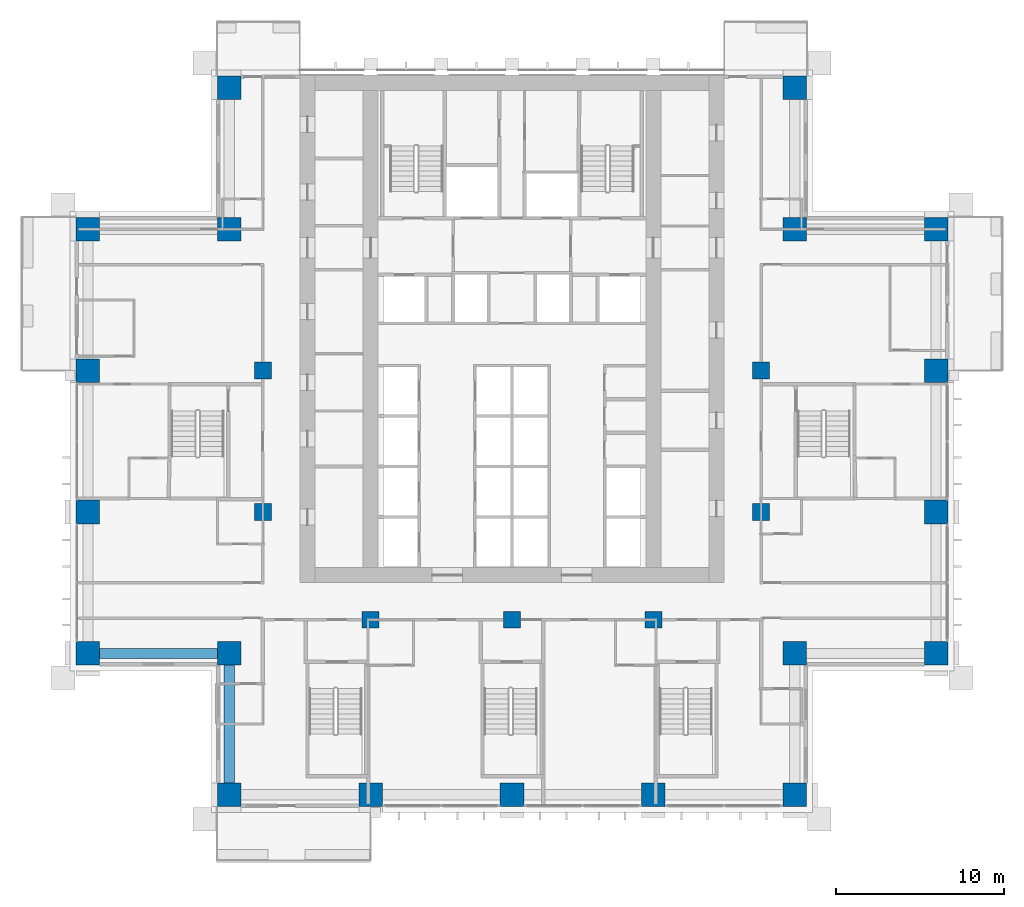
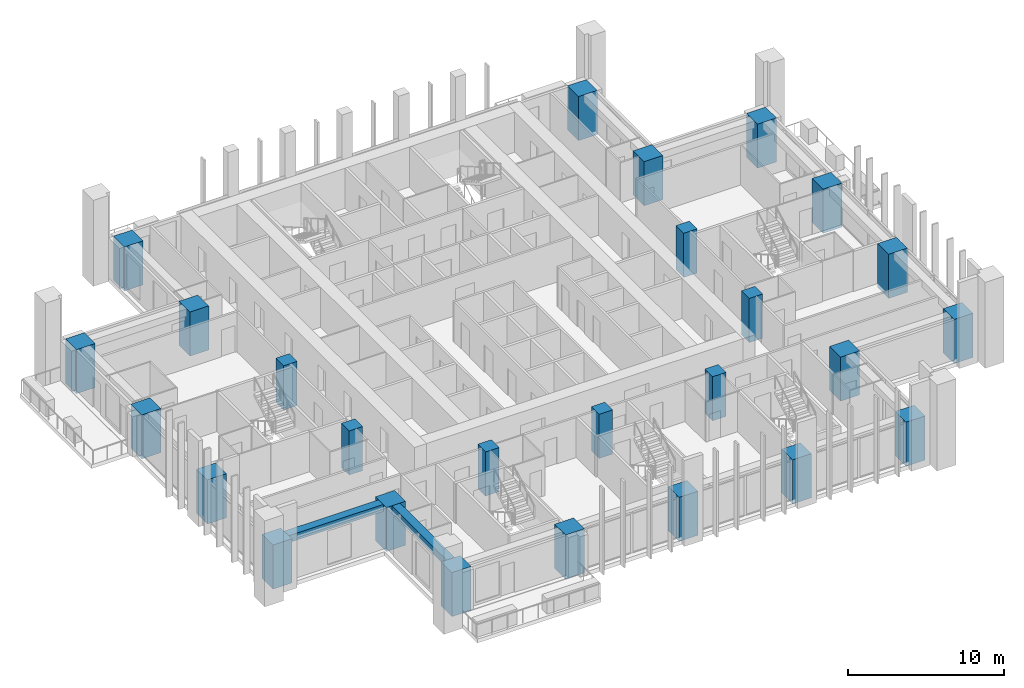
# One storey, part 1 of 17: 26 columns, 2 beams.
"""IFC4 building model written with IfcOpenShell, lengths in metres."""

from ifc_helpers import new_model, si_unit, direction, frame, origin, origin_2d, place, context, subcontext, project, spatial, rectangle, extrude, material, material_profile, profile_set, type_object, element, save


model = new_model("IFC4")

# Units and contexts
model_context = context("Model", 3, precision=1e-05, world=origin(), true_north=direction((0.0, 1.0)))
body_context = subcontext(model_context, "Body", "Model", "MODEL_VIEW")
ifc_project = project(units=[si_unit("LENGTHUNIT", "METRE"), si_unit("AREAUNIT", "SQUARE_METRE"), si_unit("VOLUMEUNIT", "CUBIC_METRE"), si_unit("PLANEANGLEUNIT", "RADIAN"), si_unit("MASSUNIT", "GRAM", prefix="KILO")], contexts=[model_context])

# Site, building, storey
site_placement = place(None, origin())
site = spatial("IfcSite", under=ifc_project, at=site_placement, CompositionType="ELEMENT")
building_placement = place(site_placement, origin())
building = spatial("IfcBuilding", under=site, at=building_placement, Name="Vermilion Ogive Tower", CompositionType="ELEMENT")
storey_placement = place(building_placement, frame((0.0, 0.0, 69.0)))
storey = spatial("IfcBuildingStorey", under=building, at=storey_placement, Name="L16", CompositionType="ELEMENT", Elevation=69.0)

# Columns
ifc_material_1 = material(Name="Concrete B80", Category="concrete")
ifc_material_profile_1 = material_profile(ifc_material_1, rectangle(XDim=1.39990234375, YDim=1.39990234375, at=origin_2d()), Name="1400 x 1400")
ifc_profile_set_1 = profile_set([ifc_material_profile_1], Name="Concrete B80")
column_type_1 = type_object("IfcColumnType", Name="Perimeter column 1400 x 1400 B80", PredefinedType="COLUMN", material=ifc_profile_set_1)
for number, where, z_axis, x_axis, name in (
    (1, (-16.800048828125, -21.0, -0.320068359375), (0.0, 0.0, 1.0), (1.0, 0.0, 0.0), "COL-L16-P-0168-210"),
    (2, (-8.39990234375, -21.0, -0.320068359375), (0.0, 0.0, 1.0), (1.0, 0.0, 0.0), "COL-L16-P-0084-210"),
    (3, (0.0, -21.0, -0.320068359375), (0.0, 0.0, 1.0), (1.0, 0.0, 0.0), "COL-L16-P+0000-210"),
    (4, (8.39990234375, -21.0, -0.320068359375), (0.0, 0.0, 1.0), (1.0, 0.0, 0.0), "COL-L16-P+0084-210"),
    (5, (16.800048828125, -21.0, -0.320068359375), (0.0, 0.0, 1.0), (1.0, 0.0, 0.0), "COL-L16-P+0168-210"),
    (6, (-25.199951171875, -12.60009765625, -0.320068359375), (0.0, 0.0, 1.0), (1.0, 0.0, 0.0), "COL-L16-P-0252-126"),
    (7, (-16.800048828125, -12.60009765625, -0.320068359375), (0.0, 0.0, 1.0), (1.0, 0.0, 0.0), "COL-L16-P-0168-126"),
    (8, (16.800048828125, -12.60009765625, -0.320068359375), (0.0, 0.0, 1.0), (1.0, 0.0, 0.0), "COL-L16-P+0168-126"),
    (9, (25.199951171875, -12.60009765625, -0.320068359375), (0.0, 0.0, 1.0), (1.0, 0.0, 0.0), "COL-L16-P+0252-126"),
    (10, (-25.199951171875, -4.199951171875, -0.320068359375), (0.0, 0.0, 1.0), (1.0, 0.0, 0.0), "COL-L16-P-0252-042"),
    (11, (25.199951171875, -4.199951171875, -0.320068359375), (0.0, 0.0, 1.0), (1.0, 0.0, 0.0), "COL-L16-P+0252-042"),
    (12, (-25.199951171875, 4.199951171875, -0.320068359375), (0.0, 0.0, 1.0), (1.0, 0.0, 0.0), "COL-L16-P-0252+042"),
    (13, (25.199951171875, 4.199951171875, -0.320068359375), (0.0, 0.0, 1.0), (1.0, 0.0, 0.0), "COL-L16-P+0252+042"),
    (14, (-25.199951171875, 12.60009765625, -0.320068359375), (0.0, 0.0, 1.0), (1.0, 0.0, 0.0), "COL-L16-P-0252+126"),
    (15, (-16.800048828125, 12.60009765625, -0.320068359375), (0.0, 0.0, 1.0), (1.0, 0.0, 0.0), "COL-L16-P-0168+126"),
    (16, (16.800048828125, 12.60009765625, -0.320068359375), (0.0, 0.0, 1.0), (1.0, 0.0, 0.0), "COL-L16-P+0168+126"),
    (17, (25.199951171875, 12.60009765625, -0.320068359375), (0.0, 0.0, 1.0), (1.0, 0.0, 0.0), "COL-L16-P+0252+126"),
    (18, (-16.800048828125, 21.0, -0.320068359375), (0.0, 0.0, 1.0), (1.0, 0.0, 0.0), "COL-L16-P-0168+210"),
    (19, (16.800048828125, 21.0, -0.320068359375), (0.0, 0.0, 1.0), (1.0, 0.0, 0.0), "COL-L16-P+0168+210"),
):
    element("IfcColumn", number, at=place(storey_placement, frame(where, z_axis=z_axis, x_axis=x_axis)), inside=storey, type_object=column_type_1, Name=name, PredefinedType="COLUMN", context=body_context, shape_type="SweptSolid", body=[
        extrude(rectangle(XDim=1.39990234375, YDim=1.39990234375, at=origin_2d()), origin(), (0.0, 0.0, 1.0), 3.449951171875),
    ])
ifc_material_2 = material(Name="Concrete B80", Category="concrete")
ifc_material_profile_2 = material_profile(ifc_material_2, rectangle(XDim=1.0, YDim=1.0, at=origin_2d()), Name="1000 x 1000")
ifc_profile_set_2 = profile_set([ifc_material_profile_2], Name="Concrete B80")
column_type_2 = type_object("IfcColumnType", Name="Ring column 1000 x 1000 B80", PredefinedType="COLUMN", material=ifc_profile_set_2)
for number, where, z_axis, x_axis, name in (
    (20, (-8.39990234375, -10.60009765625, -0.320068359375), (0.0, 0.0, 1.0), (1.0, 0.0, 0.0), "COL-L16-R-0084-106"),
    (21, (0.0, -10.60009765625, -0.320068359375), (0.0, 0.0, 1.0), (1.0, 0.0, 0.0), "COL-L16-R+0000-106"),
    (22, (8.39990234375, -10.60009765625, -0.320068359375), (0.0, 0.0, 1.0), (1.0, 0.0, 0.0), "COL-L16-R+0084-106"),
    (23, (-14.800048828125, -4.199951171875, -0.320068359375), (0.0, 0.0, 1.0), (1.0, 0.0, 0.0), "COL-L16-R-0148-042"),
    (24, (14.800048828125, -4.199951171875, -0.320068359375), (0.0, 0.0, 1.0), (1.0, 0.0, 0.0), "COL-L16-R+0148-042"),
    (25, (-14.800048828125, 4.199951171875, -0.320068359375), (0.0, 0.0, 1.0), (1.0, 0.0, 0.0), "COL-L16-R-0148+042"),
    (26, (14.800048828125, 4.199951171875, -0.320068359375), (0.0, 0.0, 1.0), (1.0, 0.0, 0.0), "COL-L16-R+0148+042"),
):
    element("IfcColumn", number, at=place(storey_placement, frame(where, z_axis=z_axis, x_axis=x_axis)), inside=storey, type_object=column_type_2, Name=name, PredefinedType="COLUMN", context=body_context, shape_type="SweptSolid", body=[
        extrude(rectangle(XDim=1.0, YDim=1.0, at=origin_2d()), origin(), (0.0, 0.0, 1.0), 3.449951171875),
    ])

# Beams
ifc_material_3 = material(Name="Concrete B45", Category="concrete")
ifc_material_profile_3 = material_profile(ifc_material_3, rectangle(XDim=0.60009765625, YDim=0.550048828125, at=origin_2d()), Name="600 x 550")
ifc_profile_set_3 = profile_set([ifc_material_profile_3], Name="Concrete B45")
beam_type = type_object("IfcBeamType", Name="Edge beam 600 x 550 B45", PredefinedType="BEAM", material=ifc_profile_set_3)
for number, where, z_axis, x_axis, name in (
    (27, (-24.5, -12.60009765625, 2.85498046875), (1.0, 0.0, 0.0), (0.0, 1.0, 0.0), "L16-EB-17"),
    (28, (-16.800048828125, -13.300048828125, 2.85498046875), (0.0, -1.0, 0.0), (1.0, 0.0, 0.0), "L16-EB-18"),
):
    element("IfcBeam", number, at=place(storey_placement, frame(where, z_axis=z_axis, x_axis=x_axis)), inside=storey, type_object=beam_type, Name=name, PredefinedType="BEAM", context=body_context, shape_type="SweptSolid", body=[
        extrude(rectangle(XDim=0.60009765625, YDim=0.550048828125, at=origin_2d()), origin(), (0.0, 0.0, 1.0), 7.0),
    ])

save(model, "model.ifc")
